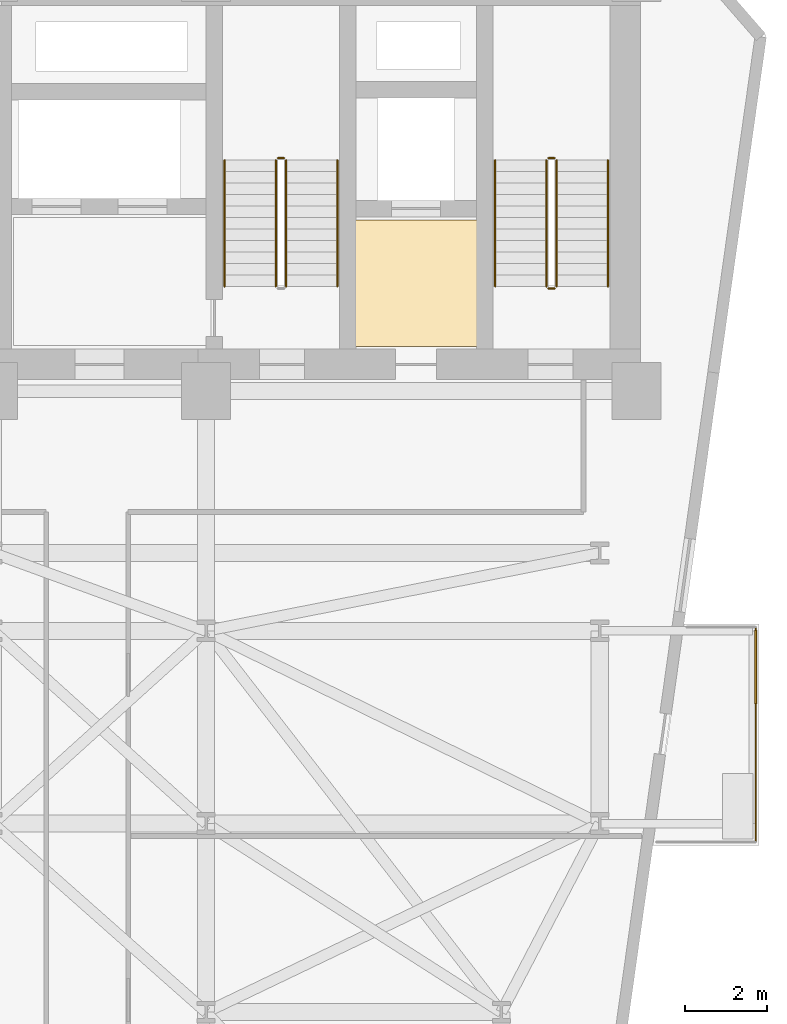
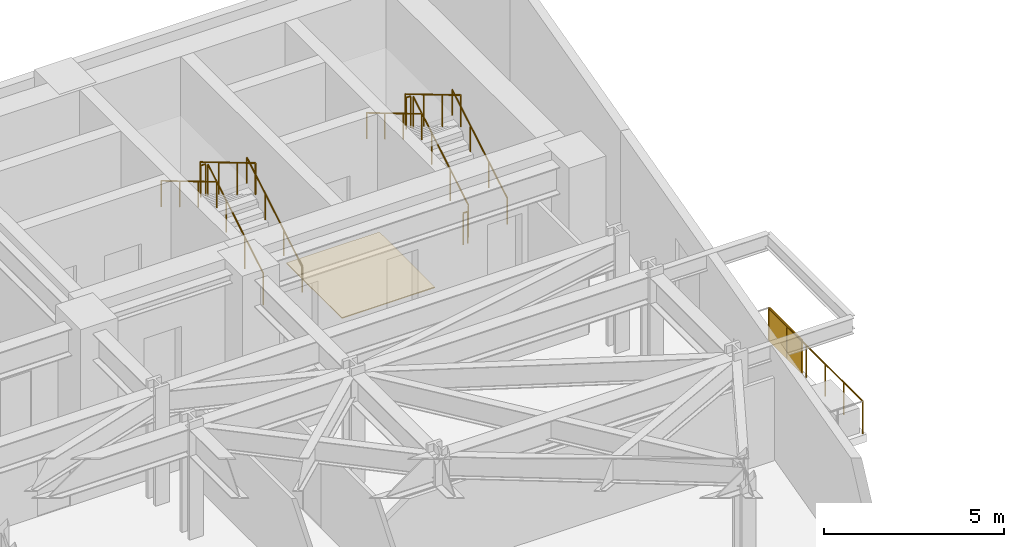
# One storey, part 25 of 25: 12 railings, 1 covering, 1 shading device.
"""IFC4 building model written with IfcOpenShell, lengths in metres."""

from ifc_helpers import new_model, si_unit, direction, frame, origin, origin_2d, place, context, subcontext, project, spatial, polyline, rectangle, circle, outline, extrude, material, layer, layer_set, type_object, element, save


model = new_model("IFC4")

# Units and contexts
model_context = context("Model", 3, precision=1e-05, world=origin(), true_north=direction((0.0, 1.0)))
body_context = subcontext(model_context, "Body", "Model", "MODEL_VIEW")
ifc_project = project(units=[si_unit("LENGTHUNIT", "METRE"), si_unit("AREAUNIT", "SQUARE_METRE"), si_unit("VOLUMEUNIT", "CUBIC_METRE"), si_unit("PLANEANGLEUNIT", "RADIAN"), si_unit("MASSUNIT", "GRAM", prefix="KILO")], contexts=[model_context])

# Site, building, storey
site_placement = place(None, origin())
site = spatial("IfcSite", under=ifc_project, at=site_placement, CompositionType="ELEMENT")
building_placement = place(site_placement, origin())
building = spatial("IfcBuilding", under=site, at=building_placement, Name="Kravanh Interchange Tower", CompositionType="ELEMENT")
storey_placement = place(building_placement, frame((0.0, 0.0, 41.5)))
storey = spatial("IfcBuildingStorey", under=building, at=storey_placement, Name="L09", CompositionType="ELEMENT", Elevation=41.5)

# Covering
ifc_material_1 = material(Name="Cementitious Terrazzo Tile")
ifc_layer_1 = layer(ifc_material_1, 0.030029296875)
ifc_layer_set_1 = layer_set([ifc_layer_1], Name="Honed Terrazzo Lobby Flooring 30mm")
covering_type = type_object("IfcCoveringType", Name="Honed Terrazzo Lobby Flooring 30mm", PredefinedType="FLOORING", material=ifc_layer_set_1)
covering_placement = place(storey_placement, origin())
element("IfcCovering", 1, at=covering_placement, inside=storey, type_object=covering_type, Name="L09 Service Lift Lobby Floor Finish", PredefinedType="FLOORING", context=body_context, shape_type="SweptSolid", body=[
    extrude(outline(polyline([(59.6298828125, 41.52001953125), (62.6201171875, 41.52001953125), (62.6201171875, 38.429931640625), (59.6298828125, 38.429931640625), (59.6298828125, 41.52001953125)])), origin(), (0.0, 0.0, 1.0), 0.030029296875),
])

# Shading device
ifc_material_2 = material(Name="Perforated Anodised Bronze Aluminium", Category="aluminium")
ifc_layer_2 = layer(ifc_material_2, 0.0400390625)
ifc_layer_set_2 = layer_set([ifc_layer_2], Name="Perforated Bronze Balcony Privacy Screen 1150mm")
shading_device_type = type_object("IfcShadingDeviceType", Name="Perforated Bronze Balcony Privacy Screen 1150mm", PredefinedType="USERDEFINED", material=ifc_layer_set_2)
shading_device_placement = place(storey_placement, frame((69.405029296875, 30.6201171875, 0.0), z_axis=(0.0, 0.0, 1.0), x_axis=(1.0, 0.0, 0.0)))
element("IfcShadingDevice", 2, at=shading_device_placement, inside=storey, type_object=shading_device_type, Name="L09 E Perforated Bronze BALCONY SCREEN", ObjectType="SCREEN", PredefinedType="USERDEFINED", context=body_context, shape_type="SweptSolid", body=[
    extrude(rectangle(XDim=0.0400390625, YDim=1.800048828125, at=origin_2d()), origin(), (0.0, 0.0, 1.0), 1.14990234375),
])

# Railings
ifc_material_3 = material(Name="Stainless Steel 316", Category="steel")
ifc_layer_3 = layer(ifc_material_3, 0.06005859375)
ifc_layer_set_3 = layer_set([ifc_layer_3], Name="Perimeter Balcony and Terrace Guardrail Stainless 316 1120mm")
railing_type_1 = type_object("IfcRailingType", Name="Perimeter Balcony and Terrace Guardrail Stainless 316 1120mm", PredefinedType="GUARDRAIL", material=ifc_layer_set_3)
railing_1_placement = place(storey_placement, frame((69.405029296875, 31.590087890625, 0.0)))
element("IfcRailing", 3, at=railing_1_placement, inside=storey, type_object=railing_type_1, Name="L09 E Balcony Guardrail 1", PredefinedType="GUARDRAIL", context=body_context, shape_type="SweptSolid", body=[
    extrude(circle(Radius=0.02392578125, at=origin_2d()), frame((0.0, 0.0, 1.09619140625), z_axis=(0.0, -1.0, 0.0), x_axis=(1.0, 0.0, 0.0)), (0.0, 0.0, 1.0), 5.239990234375),
    extrude(circle(Radius=0.02099609375, at=origin_2d()), origin(), (0.0, 0.0, 1.0), 1.072021484375),
    extrude(circle(Radius=0.02099609375, at=origin_2d()), frame((0.0, -1.048095703125, 0.0)), (0.0, 0.0, 1.0), 1.072021484375),
    extrude(circle(Radius=0.02099609375, at=origin_2d()), frame((0.0, -2.095947265625, 0.0)), (0.0, 0.0, 1.0), 1.072021484375),
    extrude(circle(Radius=0.02099609375, at=origin_2d()), frame((0.0, -3.14404296875, 0.0)), (0.0, 0.0, 1.0), 1.072021484375),
    extrude(circle(Radius=0.02099609375, at=origin_2d()), frame((0.0, -4.19189453125, 0.0)), (0.0, 0.0, 1.0), 1.072021484375),
    extrude(circle(Radius=0.02099609375, at=origin_2d()), frame((0.0, -5.239990234375, 0.0)), (0.0, 0.0, 1.0), 1.072021484375),
])
ifc_material_4 = material(Name="Structural Steel S355", Category="steel")
ifc_layer_4 = layer(ifc_material_4, 0.050048828125)
ifc_layer_set_4 = layer_set([ifc_layer_4], Name="Stair Well Guardrail Structural Steel S355 1100mm")
railing_type_2 = type_object("IfcRailingType", Name="Stair Well Guardrail Structural Steel S355 1100mm", PredefinedType="GUARDRAIL", material=ifc_layer_set_4)
railing_2_placement = place(storey_placement, frame((64.550048828125, 39.89990234375, 0.166748046875)))
element("IfcRailing", 4, at=railing_2_placement, inside=storey, type_object=railing_type_2, Name="L09 ST1 stair guard 1", PredefinedType="GUARDRAIL", context=body_context, shape_type="SweptSolid", body=[
    extrude(circle(Radius=0.02392578125, at=origin_2d()), frame((0.0, 0.0, 1.076171875), z_axis=(0.0, 0.859308565015, 0.511457515432), x_axis=(-1.0, 0.0, 0.0)), (0.0, 0.0, 1.0), 3.58447265625),
    extrude(circle(Radius=0.02099609375, at=origin_2d()), origin(), (0.0, 0.0, 1.0), 1.052001953125),
    extrude(circle(Radius=0.02099609375, at=origin_2d()), frame((0.0, 1.026611328125, 0.611083984375)), (0.0, 0.0, 1.0), 1.052001953125),
    extrude(circle(Radius=0.02099609375, at=origin_2d()), frame((0.0, 2.053466796875, 1.22216796875)), (0.0, 0.0, 1.0), 1.052001953125),
    extrude(circle(Radius=0.02099609375, at=origin_2d()), frame((0.0, 3.080078125, 1.833251953125)), (0.0, 0.0, 1.0), 1.052001953125),
])
railing_3_placement = place(storey_placement, frame((64.5, 43.030029296875, 2.0)))
element("IfcRailing", 5, at=railing_3_placement, inside=storey, type_object=railing_type_2, Name="L09 ST1 stair guard 2", PredefinedType="GUARDRAIL", context=body_context, shape_type="SweptSolid", body=[
    extrude(circle(Radius=0.02392578125, at=origin_2d()), frame((0.0, 0.0, 1.076171875), z_axis=(-1.0, 0.0, 0.0), x_axis=(0.0, -1.0, 0.0)), (0.0, 0.0, 1.0), 0.14990234375),
    extrude(circle(Radius=0.02099609375, at=origin_2d()), origin(), (0.0, 0.0, 1.0), 1.052001953125),
    extrude(circle(Radius=0.02099609375, at=origin_2d()), frame((-0.14990234375, 0.0, 0.0)), (0.0, 0.0, 1.0), 1.052001953125),
])
railing_4_placement = place(storey_placement, frame((64.300048828125, 42.97998046875, 2.166748046875)))
element("IfcRailing", 6, at=railing_4_placement, inside=storey, type_object=railing_type_2, Name="L09 ST1 stair guard 3", PredefinedType="GUARDRAIL", context=body_context, shape_type="SweptSolid", body=[
    extrude(circle(Radius=0.02392578125, at=origin_2d()), frame((0.0, 0.0, 1.076171875), z_axis=(0.0, -0.859308565015, 0.511457515432), x_axis=(1.0, 0.0, 0.0)), (0.0, 0.0, 1.0), 3.58447265625),
    extrude(circle(Radius=0.02099609375, at=origin_2d()), origin(), (0.0, 0.0, 1.0), 1.052001953125),
    extrude(circle(Radius=0.02099609375, at=origin_2d()), frame((0.0, -1.026611328125, 0.611083984375)), (0.0, 0.0, 1.0), 1.052001953125),
    extrude(circle(Radius=0.02099609375, at=origin_2d()), frame((0.0, -2.053466796875, 1.22216796875)), (0.0, 0.0, 1.0), 1.052001953125),
    extrude(circle(Radius=0.02099609375, at=origin_2d()), frame((0.0, -3.080078125, 1.833251953125)), (0.0, 0.0, 1.0), 1.052001953125),
])
railing_5_placement = place(storey_placement, frame((64.5, 39.85009765625, 0.0)))
element("IfcRailing", 7, at=railing_5_placement, inside=storey, type_object=railing_type_2, Name="L09 ST1 stair guard 4", PredefinedType="GUARDRAIL", context=body_context, shape_type="SweptSolid", body=[
    extrude(circle(Radius=0.02392578125, at=origin_2d()), frame((0.0, 0.0, 1.076171875), z_axis=(-1.0, 0.0, 0.0), x_axis=(0.0, -1.0, 0.0)), (0.0, 0.0, 1.0), 0.14990234375),
    extrude(circle(Radius=0.02099609375, at=origin_2d()), origin(), (0.0, 0.0, 1.0), 1.052001953125),
    extrude(circle(Radius=0.02099609375, at=origin_2d()), frame((-0.14990234375, 0.0, 0.0)), (0.0, 0.0, 1.0), 1.052001953125),
])
railing_6_placement = place(storey_placement, frame((57.949951171875, 39.89990234375, 0.166748046875)))
element("IfcRailing", 8, at=railing_6_placement, inside=storey, type_object=railing_type_2, Name="L09 ST2 stair guard 1", PredefinedType="GUARDRAIL", context=body_context, shape_type="SweptSolid", body=[
    extrude(circle(Radius=0.02392578125, at=origin_2d()), frame((0.0, 0.0, 1.076171875), z_axis=(0.0, 0.859308565015, 0.511457515432), x_axis=(-1.0, 0.0, 0.0)), (0.0, 0.0, 1.0), 3.58447265625),
    extrude(circle(Radius=0.02099609375, at=origin_2d()), origin(), (0.0, 0.0, 1.0), 1.052001953125),
    extrude(circle(Radius=0.02099609375, at=origin_2d()), frame((0.0, 1.026611328125, 0.611083984375)), (0.0, 0.0, 1.0), 1.052001953125),
    extrude(circle(Radius=0.02099609375, at=origin_2d()), frame((0.0, 2.053466796875, 1.22216796875)), (0.0, 0.0, 1.0), 1.052001953125),
    extrude(circle(Radius=0.02099609375, at=origin_2d()), frame((0.0, 3.080078125, 1.833251953125)), (0.0, 0.0, 1.0), 1.052001953125),
])
railing_7_placement = place(storey_placement, frame((57.89990234375, 43.030029296875, 2.0)))
element("IfcRailing", 9, at=railing_7_placement, inside=storey, type_object=railing_type_2, Name="L09 ST2 stair guard 2", PredefinedType="GUARDRAIL", context=body_context, shape_type="SweptSolid", body=[
    extrude(circle(Radius=0.02392578125, at=origin_2d()), frame((0.0, 0.0, 1.076171875), z_axis=(-1.0, 0.0, 0.0), x_axis=(0.0, -1.0, 0.0)), (0.0, 0.0, 1.0), 0.14990234375),
    extrude(circle(Radius=0.02099609375, at=origin_2d()), origin(), (0.0, 0.0, 1.0), 1.052001953125),
    extrude(circle(Radius=0.02099609375, at=origin_2d()), frame((-0.14990234375, 0.0, 0.0)), (0.0, 0.0, 1.0), 1.052001953125),
])
railing_8_placement = place(storey_placement, frame((57.699951171875, 42.97998046875, 2.166748046875)))
element("IfcRailing", 10, at=railing_8_placement, inside=storey, type_object=railing_type_2, Name="L09 ST2 stair guard 3", PredefinedType="GUARDRAIL", context=body_context, shape_type="SweptSolid", body=[
    extrude(circle(Radius=0.02392578125, at=origin_2d()), frame((0.0, 0.0, 1.076171875), z_axis=(0.0, -0.859308565015, 0.511457515432), x_axis=(1.0, 0.0, 0.0)), (0.0, 0.0, 1.0), 3.58447265625),
    extrude(circle(Radius=0.02099609375, at=origin_2d()), origin(), (0.0, 0.0, 1.0), 1.052001953125),
    extrude(circle(Radius=0.02099609375, at=origin_2d()), frame((0.0, -1.026611328125, 0.611083984375)), (0.0, 0.0, 1.0), 1.052001953125),
    extrude(circle(Radius=0.02099609375, at=origin_2d()), frame((0.0, -2.053466796875, 1.22216796875)), (0.0, 0.0, 1.0), 1.052001953125),
    extrude(circle(Radius=0.02099609375, at=origin_2d()), frame((0.0, -3.080078125, 1.833251953125)), (0.0, 0.0, 1.0), 1.052001953125),
])
ifc_material_5 = material(Name="Stainless Steel 304", Category="steel")
ifc_layer_5 = layer(ifc_material_5, 0.044921875)
ifc_layer_set_5 = layer_set([ifc_layer_5], Name="Tubular Stair Handrail Stainless 304 900mm")
railing_type_3 = type_object("IfcRailingType", Name="Tubular Stair Handrail Stainless 304 900mm", PredefinedType="HANDRAIL", material=ifc_layer_set_5)
railing_9_placement = place(storey_placement, frame((65.800048828125, 39.89990234375, 0.166748046875)))
element("IfcRailing", 11, at=railing_9_placement, inside=storey, type_object=railing_type_3, Name="L09 ST1 stair handrail 1", PredefinedType="HANDRAIL", context=body_context, shape_type="SweptSolid", body=[
    extrude(circle(Radius=0.02392578125, at=origin_2d()), frame((0.0, 0.0, 0.8759765625), z_axis=(0.0, 0.859308565015, 0.511457515432), x_axis=(-1.0, 0.0, 0.0)), (0.0, 0.0, 1.0), 3.58447265625),
    extrude(circle(Radius=0.02099609375, at=origin_2d()), origin(), (0.0, 0.0, 1.0), 0.851806640625),
    extrude(circle(Radius=0.02099609375, at=origin_2d()), frame((0.0, 1.026611328125, 0.611083984375)), (0.0, 0.0, 1.0), 0.851806640625),
    extrude(circle(Radius=0.02099609375, at=origin_2d()), frame((0.0, 2.053466796875, 1.22216796875)), (0.0, 0.0, 1.0), 0.851806640625),
    extrude(circle(Radius=0.02099609375, at=origin_2d()), frame((0.0, 3.080078125, 1.833251953125)), (0.0, 0.0, 1.0), 0.851806640625),
])
railing_10_placement = place(storey_placement, frame((63.050048828125, 42.97998046875, 2.166748046875)))
element("IfcRailing", 12, at=railing_10_placement, inside=storey, type_object=railing_type_3, Name="L09 ST1 stair handrail 2", PredefinedType="HANDRAIL", context=body_context, shape_type="SweptSolid", body=[
    extrude(circle(Radius=0.02392578125, at=origin_2d()), frame((0.0, 0.0, 0.8759765625), z_axis=(0.0, -0.859308565015, 0.511457515432), x_axis=(1.0, 0.0, 0.0)), (0.0, 0.0, 1.0), 3.58447265625),
    extrude(circle(Radius=0.02099609375, at=origin_2d()), origin(), (0.0, 0.0, 1.0), 0.851806640625),
    extrude(circle(Radius=0.02099609375, at=origin_2d()), frame((0.0, -1.026611328125, 0.611083984375)), (0.0, 0.0, 1.0), 0.851806640625),
    extrude(circle(Radius=0.02099609375, at=origin_2d()), frame((0.0, -2.053466796875, 1.22216796875)), (0.0, 0.0, 1.0), 0.851806640625),
    extrude(circle(Radius=0.02099609375, at=origin_2d()), frame((0.0, -3.080078125, 1.833251953125)), (0.0, 0.0, 1.0), 0.851806640625),
])
railing_11_placement = place(storey_placement, frame((59.199951171875, 39.89990234375, 0.166748046875)))
element("IfcRailing", 13, at=railing_11_placement, inside=storey, type_object=railing_type_3, Name="L09 ST2 stair handrail 1", PredefinedType="HANDRAIL", context=body_context, shape_type="SweptSolid", body=[
    extrude(circle(Radius=0.02392578125, at=origin_2d()), frame((0.0, 0.0, 0.8759765625), z_axis=(0.0, 0.859308565015, 0.511457515432), x_axis=(-1.0, 0.0, 0.0)), (0.0, 0.0, 1.0), 3.58447265625),
    extrude(circle(Radius=0.02099609375, at=origin_2d()), origin(), (0.0, 0.0, 1.0), 0.851806640625),
    extrude(circle(Radius=0.02099609375, at=origin_2d()), frame((0.0, 1.026611328125, 0.611083984375)), (0.0, 0.0, 1.0), 0.851806640625),
    extrude(circle(Radius=0.02099609375, at=origin_2d()), frame((0.0, 2.053466796875, 1.22216796875)), (0.0, 0.0, 1.0), 0.851806640625),
    extrude(circle(Radius=0.02099609375, at=origin_2d()), frame((0.0, 3.080078125, 1.833251953125)), (0.0, 0.0, 1.0), 0.851806640625),
])
railing_12_placement = place(storey_placement, frame((56.449951171875, 42.97998046875, 2.166748046875)))
element("IfcRailing", 14, at=railing_12_placement, inside=storey, type_object=railing_type_3, Name="L09 ST2 stair handrail 2", PredefinedType="HANDRAIL", context=body_context, shape_type="SweptSolid", body=[
    extrude(circle(Radius=0.02392578125, at=origin_2d()), frame((0.0, 0.0, 0.8759765625), z_axis=(0.0, -0.859308565015, 0.511457515432), x_axis=(1.0, 0.0, 0.0)), (0.0, 0.0, 1.0), 3.58447265625),
    extrude(circle(Radius=0.02099609375, at=origin_2d()), origin(), (0.0, 0.0, 1.0), 0.851806640625),
    extrude(circle(Radius=0.02099609375, at=origin_2d()), frame((0.0, -1.026611328125, 0.611083984375)), (0.0, 0.0, 1.0), 0.851806640625),
    extrude(circle(Radius=0.02099609375, at=origin_2d()), frame((0.0, -2.053466796875, 1.22216796875)), (0.0, 0.0, 1.0), 0.851806640625),
    extrude(circle(Radius=0.02099609375, at=origin_2d()), frame((0.0, -3.080078125, 1.833251953125)), (0.0, 0.0, 1.0), 0.851806640625),
])

save(model, "model.ifc")
